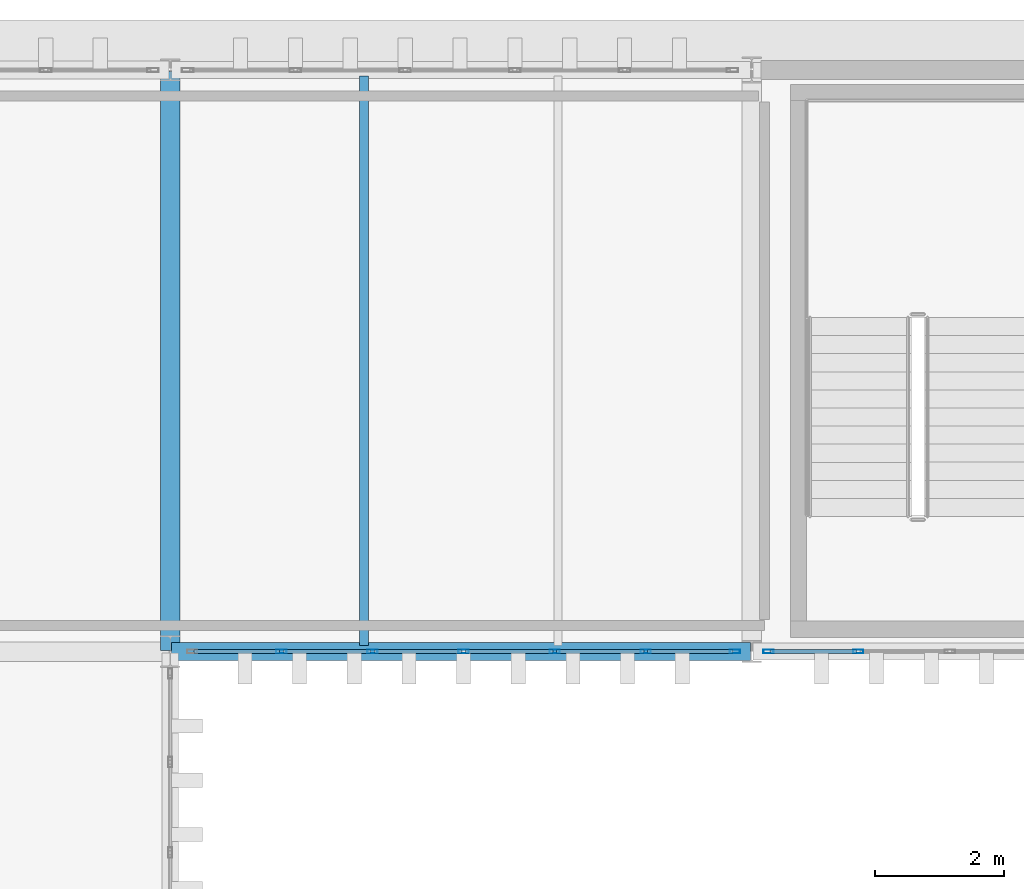
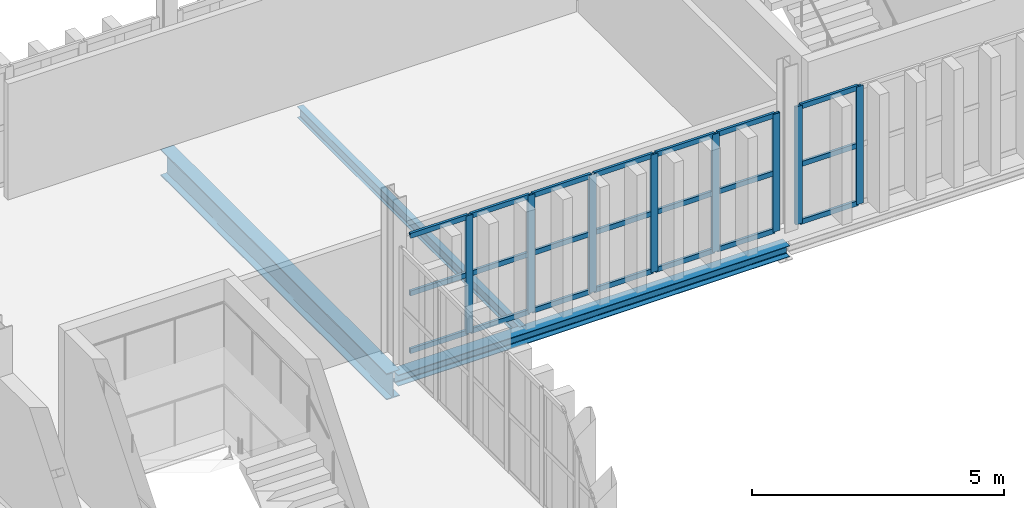
# One storey, part 57 of 102: 29 members, 3 beams, 2 elements without a shape of their own.
"""IFC4 building model written with IfcOpenShell, lengths in metres."""

from ifc_helpers import new_model, si_unit, direction, frame, origin, origin_2d, place, context, subcontext, project, spatial, hollow_rectangle, i_section, extrude, material, layer, layer_set, material_profile, profile_set, type_object, element, aggregate, save


model = new_model("IFC4")

# Units and contexts
model_context = context("Model", 3, precision=1e-05, world=origin(), true_north=direction((0.0, 1.0)))
body_context = subcontext(model_context, "Body", "Model", "MODEL_VIEW")
ifc_project = project(units=[si_unit("LENGTHUNIT", "METRE"), si_unit("AREAUNIT", "SQUARE_METRE"), si_unit("VOLUMEUNIT", "CUBIC_METRE"), si_unit("PLANEANGLEUNIT", "RADIAN"), si_unit("MASSUNIT", "GRAM", prefix="KILO")], contexts=[model_context])

# Site, building, storey
site_placement = place(None, origin())
site = spatial("IfcSite", under=ifc_project, at=site_placement, CompositionType="ELEMENT")
building_placement = place(site_placement, origin())
building = spatial("IfcBuilding", under=site, at=building_placement, Name="Barlavento Convention Centre", CompositionType="ELEMENT")
storey_placement = place(building_placement, frame((0.0, 0.0, 22.800048828125)))
storey = spatial("IfcBuildingStorey", under=building, at=storey_placement, Name="L04", CompositionType="ELEMENT", Elevation=22.800048828125)

# Curtain wall, members
ifc_material_1 = material(Name="Powder-coated aluminium and Low-E glass", Category="aluminium")
ifc_layer = layer(ifc_material_1, 0.179931640625)
ifc_layer_set = layer_set([ifc_layer], Name="ARC-CW-PATIO-B")
curtain_wall_type = type_object("IfcCurtainWallType", Name="ARC-CW-PATIO-B", PredefinedType="NOTDEFINED", material=ifc_layer_set)
curtain_wall_1_placement = place(storey_placement, origin())
curtain_wall_1 = element("IfcCurtainWall", 1, at=curtain_wall_1_placement, inside=storey, type_object=curtain_wall_type, Name="L04 unitised curtain wall CW12", PredefinedType="NOTDEFINED")
ifc_material_2 = material(Name="Powder-coated aluminium", Category="aluminium")
ifc_material_profile_1 = material_profile(ifc_material_2, hollow_rectangle(XDim=0.06005859375, YDim=0.159912109375, WallThickness=0.00390625, at=origin_2d()), Name="AL-MULL 60x160x4")
ifc_profile_set_1 = profile_set([ifc_material_profile_1], Name="Powder-coated aluminium")
member_type_1 = type_object("IfcMemberType", Name="ARC-CWM-60X160", PredefinedType="MULLION", material=ifc_profile_set_1)
member_1_placement = place(storey_placement, frame((136.719970703125, 90.0, 0.0), z_axis=(0.0, 0.0, 1.0), x_axis=(0.0, 1.0, 0.0)))
member_1 = element("IfcMember", 2, at=member_1_placement, type_object=member_type_1, Name="CW12 mullion 2", PredefinedType="MULLION", context=body_context, shape_type="SweptSolid", body=[
    extrude(hollow_rectangle(XDim=0.06005859375, YDim=0.159912109375, WallThickness=0.00390625, at=origin_2d()), origin(), (0.0, 0.0, 1.0), 2.849853515625),
])
member_2_placement = place(storey_placement, frame((138.1298828125, 90.0, 0.0), z_axis=(0.0, 0.0, 1.0), x_axis=(0.0, 1.0, 0.0)))
member_2 = element("IfcMember", 3, at=member_2_placement, type_object=member_type_1, Name="CW12 mullion 3", PredefinedType="MULLION", context=body_context, shape_type="SweptSolid", body=[
    extrude(hollow_rectangle(XDim=0.06005859375, YDim=0.159912109375, WallThickness=0.00390625, at=origin_2d()), origin(), (0.0, 0.0, 1.0), 2.849853515625),
])
member_3_placement = place(storey_placement, frame((139.5400390625, 90.0, 0.0), z_axis=(0.0, 0.0, 1.0), x_axis=(0.0, 1.0, 0.0)))
member_3 = element("IfcMember", 4, at=member_3_placement, type_object=member_type_1, Name="CW12 mullion 4", PredefinedType="MULLION", context=body_context, shape_type="SweptSolid", body=[
    extrude(hollow_rectangle(XDim=0.06005859375, YDim=0.159912109375, WallThickness=0.00390625, at=origin_2d()), origin(), (0.0, 0.0, 1.0), 2.849853515625),
])
member_4_placement = place(storey_placement, frame((140.949951171875, 90.0, 0.0), z_axis=(0.0, 0.0, 1.0), x_axis=(0.0, 1.0, 0.0)))
member_4 = element("IfcMember", 5, at=member_4_placement, type_object=member_type_1, Name="CW12 mullion 5", PredefinedType="MULLION", context=body_context, shape_type="SweptSolid", body=[
    extrude(hollow_rectangle(XDim=0.06005859375, YDim=0.159912109375, WallThickness=0.00390625, at=origin_2d()), origin(), (0.0, 0.0, 1.0), 2.849853515625),
])
member_5_placement = place(storey_placement, frame((142.360107421875, 90.0, 0.0), z_axis=(0.0, 0.0, 1.0), x_axis=(0.0, 1.0, 0.0)))
member_5 = element("IfcMember", 6, at=member_5_placement, type_object=member_type_1, Name="CW12 mullion 6", PredefinedType="MULLION", context=body_context, shape_type="SweptSolid", body=[
    extrude(hollow_rectangle(XDim=0.06005859375, YDim=0.159912109375, WallThickness=0.00390625, at=origin_2d()), origin(), (0.0, 0.0, 1.0), 2.849853515625),
])
member_6_placement = place(storey_placement, frame((143.739990234375, 90.0, 0.0), z_axis=(0.0, 0.0, 1.0), x_axis=(0.0, 1.0, 0.0)))
member_6 = element("IfcMember", 7, at=member_6_placement, type_object=member_type_1, Name="CW12 mullion 7", PredefinedType="MULLION", context=body_context, shape_type="SweptSolid", body=[
    extrude(hollow_rectangle(XDim=0.06005859375, YDim=0.159912109375, WallThickness=0.00390625, at=origin_2d()), origin(), (0.0, 0.0, 1.0), 2.849853515625),
])

curtain_wall_2_placement = place(storey_placement, origin())
curtain_wall_2 = element("IfcCurtainWall", 8, at=curtain_wall_2_placement, inside=storey, type_object=curtain_wall_type, Name="L04 unitised curtain wall CW12", PredefinedType="NOTDEFINED")
member_7_placement = place(storey_placement, frame((144.260009765625, 90.0, 0.0), z_axis=(0.0, 0.0, 1.0), x_axis=(0.0, 1.0, 0.0)))
member_7 = element("IfcMember", 9, at=member_7_placement, type_object=member_type_1, Name="CW12 mullion 1", PredefinedType="MULLION", context=body_context, shape_type="SweptSolid", body=[
    extrude(hollow_rectangle(XDim=0.06005859375, YDim=0.159912109375, WallThickness=0.00390625, at=origin_2d()), origin(), (0.0, 0.0, 1.0), 2.849853515625),
])
member_8_placement = place(storey_placement, frame((145.6484375, 90.0, 0.0), z_axis=(0.0, 0.0, 1.0), x_axis=(0.0, 1.0, 0.0)))
member_8 = element("IfcMember", 10, at=member_8_placement, type_object=member_type_1, Name="CW12 mullion 2", PredefinedType="MULLION", context=body_context, shape_type="SweptSolid", body=[
    extrude(hollow_rectangle(XDim=0.06005859375, YDim=0.159912109375, WallThickness=0.00390625, at=origin_2d()), origin(), (0.0, 0.0, 1.0), 2.849853515625),
])

# Member
ifc_material_profile_2 = material_profile(ifc_material_2, hollow_rectangle(XDim=0.06005859375, YDim=0.1201171875, WallThickness=0.00390625, at=origin_2d()), Name="AL-TRAN 60x120x4")
ifc_profile_set_2 = profile_set([ifc_material_profile_2], Name="Powder-coated aluminium")
member_type_2 = type_object("IfcMemberType", Name="ARC-CWT-60X120", PredefinedType="USERDEFINED", material=ifc_profile_set_2)
member_9_placement = place(storey_placement, frame((135.3701171875, 90.0, 0.030029296875), z_axis=(1.0, 0.0, 0.0), x_axis=(0.0, 1.0, 0.0)))
member_9 = element("IfcMember", 11, at=member_9_placement, type_object=member_type_2, Name="CW12 transom 1.1", ObjectType="TRANSOM", PredefinedType="USERDEFINED", context=body_context, shape_type="SweptSolid", body=[
    extrude(hollow_rectangle(XDim=0.06005859375, YDim=0.1201171875, WallThickness=0.00390625, at=origin_2d()), origin(), (0.0, 0.0, 1.0), 1.31982421875),
])

member_10_placement = place(storey_placement, frame((135.3701171875, 90.0, 1.425048828125), z_axis=(1.0, 0.0, 0.0), x_axis=(0.0, 1.0, 0.0)))
member_10 = element("IfcMember", 12, at=member_10_placement, type_object=member_type_2, Name="CW12 transom 1.2", ObjectType="TRANSOM", PredefinedType="USERDEFINED", context=body_context, shape_type="SweptSolid", body=[
    extrude(hollow_rectangle(XDim=0.06005859375, YDim=0.1201171875, WallThickness=0.00390625, at=origin_2d()), origin(), (0.0, 0.0, 1.0), 1.31982421875),
])

member_11_placement = place(storey_placement, frame((135.3701171875, 90.0, 2.820068359375), z_axis=(1.0, 0.0, 0.0), x_axis=(0.0, 1.0, 0.0)))
member_11 = element("IfcMember", 13, at=member_11_placement, type_object=member_type_2, Name="CW12 transom 1.3", ObjectType="TRANSOM", PredefinedType="USERDEFINED", context=body_context, shape_type="SweptSolid", body=[
    extrude(hollow_rectangle(XDim=0.06005859375, YDim=0.1201171875, WallThickness=0.00390625, at=origin_2d()), origin(), (0.0, 0.0, 1.0), 1.31982421875),
])

member_12_placement = place(storey_placement, frame((136.75, 90.0, 0.030029296875), z_axis=(1.0, 0.0, 0.0), x_axis=(0.0, 1.0, 0.0)))
member_12 = element("IfcMember", 14, at=member_12_placement, type_object=member_type_2, Name="CW12 transom 2.1", ObjectType="TRANSOM", PredefinedType="USERDEFINED", context=body_context, shape_type="SweptSolid", body=[
    extrude(hollow_rectangle(XDim=0.06005859375, YDim=0.1201171875, WallThickness=0.00390625, at=origin_2d()), origin(), (0.0, 0.0, 1.0), 1.35009765625),
])

member_13_placement = place(storey_placement, frame((136.75, 90.0, 1.425048828125), z_axis=(1.0, 0.0, 0.0), x_axis=(0.0, 1.0, 0.0)))
member_13 = element("IfcMember", 15, at=member_13_placement, type_object=member_type_2, Name="CW12 transom 2.2", ObjectType="TRANSOM", PredefinedType="USERDEFINED", context=body_context, shape_type="SweptSolid", body=[
    extrude(hollow_rectangle(XDim=0.06005859375, YDim=0.1201171875, WallThickness=0.00390625, at=origin_2d()), origin(), (0.0, 0.0, 1.0), 1.35009765625),
])

member_14_placement = place(storey_placement, frame((136.75, 90.0, 2.820068359375), z_axis=(1.0, 0.0, 0.0), x_axis=(0.0, 1.0, 0.0)))
member_14 = element("IfcMember", 16, at=member_14_placement, type_object=member_type_2, Name="CW12 transom 2.3", ObjectType="TRANSOM", PredefinedType="USERDEFINED", context=body_context, shape_type="SweptSolid", body=[
    extrude(hollow_rectangle(XDim=0.06005859375, YDim=0.1201171875, WallThickness=0.00390625, at=origin_2d()), origin(), (0.0, 0.0, 1.0), 1.35009765625),
])

member_15_placement = place(storey_placement, frame((138.159912109375, 90.0, 0.030029296875), z_axis=(1.0, 0.0, 0.0), x_axis=(0.0, 1.0, 0.0)))
member_15 = element("IfcMember", 17, at=member_15_placement, type_object=member_type_2, Name="CW12 transom 3.1", ObjectType="TRANSOM", PredefinedType="USERDEFINED", context=body_context, shape_type="SweptSolid", body=[
    extrude(hollow_rectangle(XDim=0.06005859375, YDim=0.1201171875, WallThickness=0.00390625, at=origin_2d()), origin(), (0.0, 0.0, 1.0), 1.35009765625),
])

member_16_placement = place(storey_placement, frame((138.159912109375, 90.0, 1.425048828125), z_axis=(1.0, 0.0, 0.0), x_axis=(0.0, 1.0, 0.0)))
member_16 = element("IfcMember", 18, at=member_16_placement, type_object=member_type_2, Name="CW12 transom 3.2", ObjectType="TRANSOM", PredefinedType="USERDEFINED", context=body_context, shape_type="SweptSolid", body=[
    extrude(hollow_rectangle(XDim=0.06005859375, YDim=0.1201171875, WallThickness=0.00390625, at=origin_2d()), origin(), (0.0, 0.0, 1.0), 1.35009765625),
])

member_17_placement = place(storey_placement, frame((138.159912109375, 90.0, 2.820068359375), z_axis=(1.0, 0.0, 0.0), x_axis=(0.0, 1.0, 0.0)))
member_17 = element("IfcMember", 19, at=member_17_placement, type_object=member_type_2, Name="CW12 transom 3.3", ObjectType="TRANSOM", PredefinedType="USERDEFINED", context=body_context, shape_type="SweptSolid", body=[
    extrude(hollow_rectangle(XDim=0.06005859375, YDim=0.1201171875, WallThickness=0.00390625, at=origin_2d()), origin(), (0.0, 0.0, 1.0), 1.35009765625),
])

member_18_placement = place(storey_placement, frame((139.570068359375, 90.0, 0.030029296875), z_axis=(1.0, 0.0, 0.0), x_axis=(0.0, 1.0, 0.0)))
member_18 = element("IfcMember", 20, at=member_18_placement, type_object=member_type_2, Name="CW12 transom 4.1", ObjectType="TRANSOM", PredefinedType="USERDEFINED", context=body_context, shape_type="SweptSolid", body=[
    extrude(hollow_rectangle(XDim=0.06005859375, YDim=0.1201171875, WallThickness=0.00390625, at=origin_2d()), origin(), (0.0, 0.0, 1.0), 1.349853515625),
])

member_19_placement = place(storey_placement, frame((139.570068359375, 90.0, 1.425048828125), z_axis=(1.0, 0.0, 0.0), x_axis=(0.0, 1.0, 0.0)))
member_19 = element("IfcMember", 21, at=member_19_placement, type_object=member_type_2, Name="CW12 transom 4.2", ObjectType="TRANSOM", PredefinedType="USERDEFINED", context=body_context, shape_type="SweptSolid", body=[
    extrude(hollow_rectangle(XDim=0.06005859375, YDim=0.1201171875, WallThickness=0.00390625, at=origin_2d()), origin(), (0.0, 0.0, 1.0), 1.349853515625),
])

member_20_placement = place(storey_placement, frame((139.570068359375, 90.0, 2.820068359375), z_axis=(1.0, 0.0, 0.0), x_axis=(0.0, 1.0, 0.0)))
member_20 = element("IfcMember", 22, at=member_20_placement, type_object=member_type_2, Name="CW12 transom 4.3", ObjectType="TRANSOM", PredefinedType="USERDEFINED", context=body_context, shape_type="SweptSolid", body=[
    extrude(hollow_rectangle(XDim=0.06005859375, YDim=0.1201171875, WallThickness=0.00390625, at=origin_2d()), origin(), (0.0, 0.0, 1.0), 1.349853515625),
])

member_21_placement = place(storey_placement, frame((140.97998046875, 90.0, 0.030029296875), z_axis=(1.0, 0.0, 0.0), x_axis=(0.0, 1.0, 0.0)))
member_21 = element("IfcMember", 23, at=member_21_placement, type_object=member_type_2, Name="CW12 transom 5.1", ObjectType="TRANSOM", PredefinedType="USERDEFINED", context=body_context, shape_type="SweptSolid", body=[
    extrude(hollow_rectangle(XDim=0.06005859375, YDim=0.1201171875, WallThickness=0.00390625, at=origin_2d()), origin(), (0.0, 0.0, 1.0), 1.35009765625),
])

member_22_placement = place(storey_placement, frame((140.97998046875, 90.0, 1.425048828125), z_axis=(1.0, 0.0, 0.0), x_axis=(0.0, 1.0, 0.0)))
member_22 = element("IfcMember", 24, at=member_22_placement, type_object=member_type_2, Name="CW12 transom 5.2", ObjectType="TRANSOM", PredefinedType="USERDEFINED", context=body_context, shape_type="SweptSolid", body=[
    extrude(hollow_rectangle(XDim=0.06005859375, YDim=0.1201171875, WallThickness=0.00390625, at=origin_2d()), origin(), (0.0, 0.0, 1.0), 1.35009765625),
])

member_23_placement = place(storey_placement, frame((140.97998046875, 90.0, 2.820068359375), z_axis=(1.0, 0.0, 0.0), x_axis=(0.0, 1.0, 0.0)))
member_23 = element("IfcMember", 25, at=member_23_placement, type_object=member_type_2, Name="CW12 transom 5.3", ObjectType="TRANSOM", PredefinedType="USERDEFINED", context=body_context, shape_type="SweptSolid", body=[
    extrude(hollow_rectangle(XDim=0.06005859375, YDim=0.1201171875, WallThickness=0.00390625, at=origin_2d()), origin(), (0.0, 0.0, 1.0), 1.35009765625),
])

member_24_placement = place(storey_placement, frame((142.389892578125, 90.0, 0.030029296875), z_axis=(1.0, 0.0, 0.0), x_axis=(0.0, 1.0, 0.0)))
member_24 = element("IfcMember", 26, at=member_24_placement, type_object=member_type_2, Name="CW12 transom 6.1", ObjectType="TRANSOM", PredefinedType="USERDEFINED", context=body_context, shape_type="SweptSolid", body=[
    extrude(hollow_rectangle(XDim=0.06005859375, YDim=0.1201171875, WallThickness=0.00390625, at=origin_2d()), origin(), (0.0, 0.0, 1.0), 1.320068359375),
])

member_25_placement = place(storey_placement, frame((142.389892578125, 90.0, 1.425048828125), z_axis=(1.0, 0.0, 0.0), x_axis=(0.0, 1.0, 0.0)))
member_25 = element("IfcMember", 27, at=member_25_placement, type_object=member_type_2, Name="CW12 transom 6.2", ObjectType="TRANSOM", PredefinedType="USERDEFINED", context=body_context, shape_type="SweptSolid", body=[
    extrude(hollow_rectangle(XDim=0.06005859375, YDim=0.1201171875, WallThickness=0.00390625, at=origin_2d()), origin(), (0.0, 0.0, 1.0), 1.320068359375),
])

member_26_placement = place(storey_placement, frame((142.389892578125, 90.0, 2.820068359375), z_axis=(1.0, 0.0, 0.0), x_axis=(0.0, 1.0, 0.0)))
member_26 = element("IfcMember", 28, at=member_26_placement, type_object=member_type_2, Name="CW12 transom 6.3", ObjectType="TRANSOM", PredefinedType="USERDEFINED", context=body_context, shape_type="SweptSolid", body=[
    extrude(hollow_rectangle(XDim=0.06005859375, YDim=0.1201171875, WallThickness=0.00390625, at=origin_2d()), origin(), (0.0, 0.0, 1.0), 1.320068359375),
])

aggregate(curtain_wall_1, [member_1, member_2, member_3, member_4, member_5, member_6, member_9, member_10, member_11, member_12, member_13, member_14, member_15, member_16, member_17, member_18, member_19, member_20, member_21, member_22, member_23, member_24, member_25, member_26])

member_27_placement = place(storey_placement, frame((144.2900390625, 90.0, 0.030029296875), z_axis=(1.0, 0.0, 0.0), x_axis=(0.0, 1.0, 0.0)))
member_27 = element("IfcMember", 29, at=member_27_placement, type_object=member_type_2, Name="CW12 transom 1.1", ObjectType="TRANSOM", PredefinedType="USERDEFINED", context=body_context, shape_type="SweptSolid", body=[
    extrude(hollow_rectangle(XDim=0.06005859375, YDim=0.1201171875, WallThickness=0.00390625, at=origin_2d()), origin(), (0.0, 0.0, 1.0), 1.328369140625),
])

member_28_placement = place(storey_placement, frame((144.2900390625, 90.0, 1.425048828125), z_axis=(1.0, 0.0, 0.0), x_axis=(0.0, 1.0, 0.0)))
member_28 = element("IfcMember", 30, at=member_28_placement, type_object=member_type_2, Name="CW12 transom 1.2", ObjectType="TRANSOM", PredefinedType="USERDEFINED", context=body_context, shape_type="SweptSolid", body=[
    extrude(hollow_rectangle(XDim=0.06005859375, YDim=0.1201171875, WallThickness=0.00390625, at=origin_2d()), origin(), (0.0, 0.0, 1.0), 1.328369140625),
])

member_29_placement = place(storey_placement, frame((144.2900390625, 90.0, 2.820068359375), z_axis=(1.0, 0.0, 0.0), x_axis=(0.0, 1.0, 0.0)))
member_29 = element("IfcMember", 31, at=member_29_placement, type_object=member_type_2, Name="CW12 transom 1.3", ObjectType="TRANSOM", PredefinedType="USERDEFINED", context=body_context, shape_type="SweptSolid", body=[
    extrude(hollow_rectangle(XDim=0.06005859375, YDim=0.1201171875, WallThickness=0.00390625, at=origin_2d()), origin(), (0.0, 0.0, 1.0), 1.328369140625),
])

aggregate(curtain_wall_2, [member_7, member_8, member_27, member_28, member_29])

# Beams
ifc_material_3 = material(Name="Steel S355", Category="steel")
ifc_material_profile_3 = material_profile(ifc_material_3, i_section(OverallWidth=0.135009765625, OverallDepth=0.27001953125, WebThickness=0.006591796875, FlangeThickness=0.01025390625, FilletRadius=0.014892578125, at=origin_2d()), Name="IPE 270")
ifc_profile_set_3 = profile_set([ifc_material_profile_3], Name="Steel S355")
beam_type_1 = type_object("IfcBeamType", Name="STR-BM-JST-IPE270", PredefinedType="JOIST", material=ifc_profile_set_3)
beam_1_placement = place(storey_placement, frame((138.0, 90.094970703125, -0.4951171875), z_axis=(0.0, 1.0, 0.0), x_axis=(-1.0, 0.0, 0.0)))
element("IfcBeam", 32, at=beam_1_placement, inside=storey, type_object=beam_type_1, Name="L04 composite floor joist SJ08", PredefinedType="JOIST", context=body_context, shape_type="SweptSolid", body=[
    extrude(i_section(OverallWidth=0.135009765625, OverallDepth=0.27001953125, WebThickness=0.006591796875, FlangeThickness=0.01025390625, FilletRadius=0.014892578125, at=origin_2d()), origin(), (0.0, 0.0, 1.0), 8.81005859375),
])
ifc_material_profile_4 = material_profile(ifc_material_3, i_section(OverallWidth=0.300048828125, OverallDepth=0.639892578125, WebThickness=0.013427734375, FlangeThickness=0.02587890625, FilletRadius=0.027099609375, at=origin_2d()), Name="HEA 650")
ifc_profile_set_4 = profile_set([ifc_material_profile_4], Name="Steel S355")
beam_type_2 = type_object("IfcBeamType", Name="STR-BM-PRI-HEA650", PredefinedType="BEAM", material=ifc_profile_set_4)
beam_2_placement = place(storey_placement, frame((135.0, 90.02001953125, -0.679931640625), z_axis=(0.0, 1.0, 0.0), x_axis=(-1.0, 0.0, 0.0)))
element("IfcBeam", 33, at=beam_2_placement, inside=storey, type_object=beam_type_2, Name="L04 grid girder BG17", PredefinedType="BEAM", context=body_context, shape_type="SweptSolid", body=[
    extrude(i_section(OverallWidth=0.300048828125, OverallDepth=0.639892578125, WebThickness=0.013427734375, FlangeThickness=0.02587890625, FilletRadius=0.027099609375, at=origin_2d()), origin(), (0.0, 0.0, 1.0), 8.9599609375),
])
ifc_material_profile_5 = material_profile(ifc_material_3, i_section(OverallWidth=0.280029296875, OverallDepth=0.27001953125, WebThickness=0.008056640625, FlangeThickness=0.012939453125, FilletRadius=0.02392578125, at=origin_2d()), Name="HEA 280")
ifc_profile_set_5 = profile_set([ifc_material_profile_5], Name="Steel S355")
beam_type_3 = type_object("IfcBeamType", Name="STR-BM-SPN-HEA280", PredefinedType="SPANDREL", material=ifc_profile_set_5)
beam_3_placement = place(storey_placement, frame((135.02001953125, 90.0, -0.4951171875), z_axis=(1.0, 0.0, 0.0), x_axis=(0.0, 1.0, 0.0)))
element("IfcBeam", 34, at=beam_3_placement, inside=storey, type_object=beam_type_3, Name="L04 primary girder SP03", PredefinedType="SPANDREL", context=body_context, shape_type="SweptSolid", body=[
    extrude(i_section(OverallWidth=0.280029296875, OverallDepth=0.27001953125, WebThickness=0.008056640625, FlangeThickness=0.012939453125, FilletRadius=0.02392578125, at=origin_2d()), origin(), (0.0, 0.0, 1.0), 8.9599609375),
])

save(model, "model.ifc")
